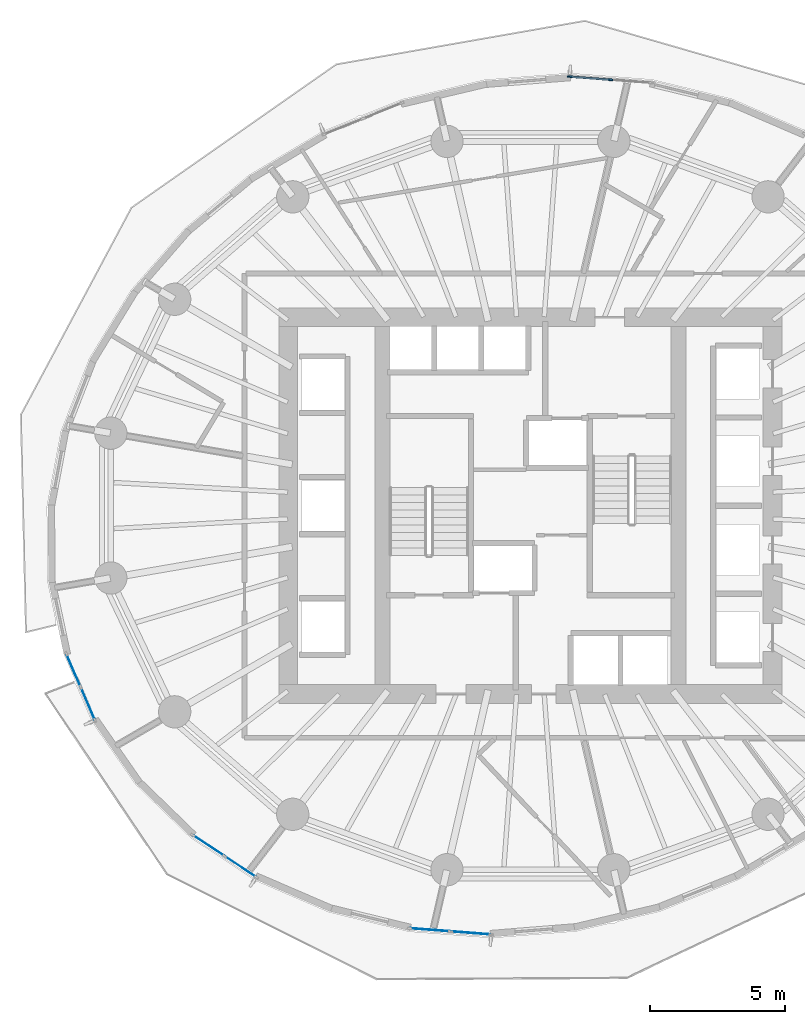
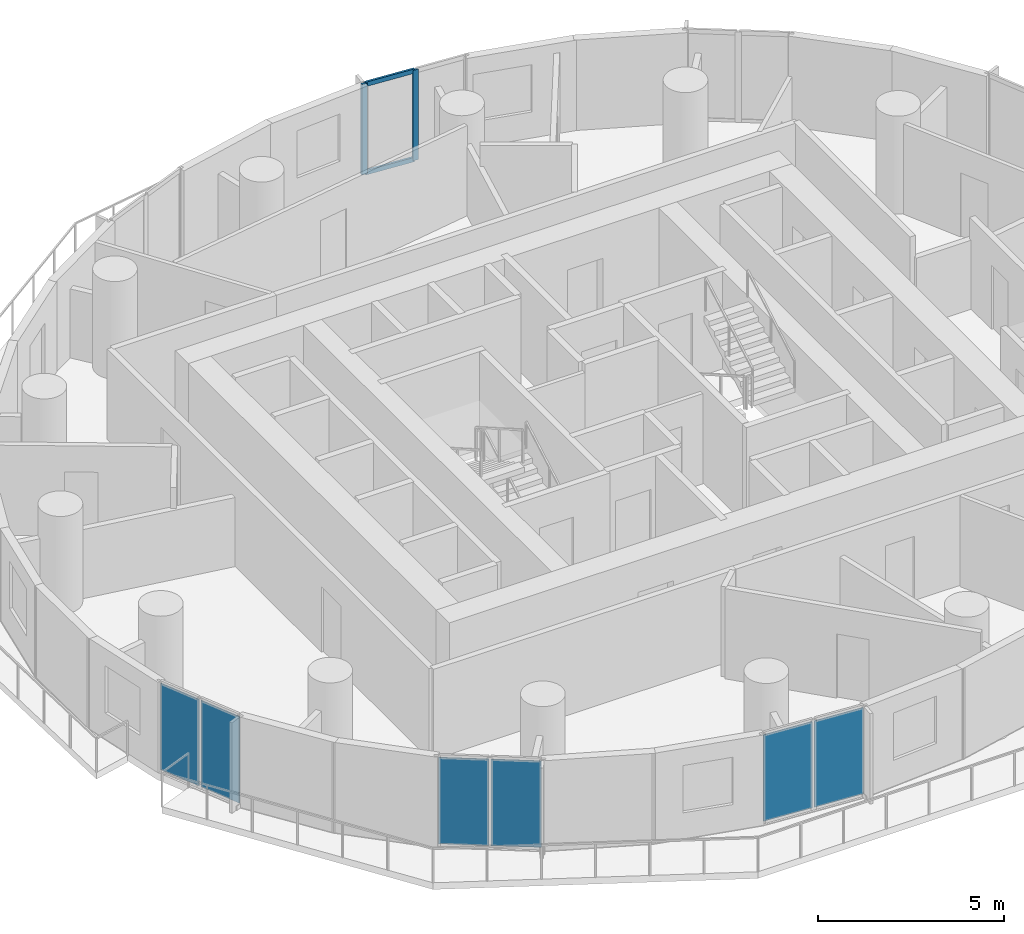
# One storey, part 5 of 14: 6 plates, 4 members, 4 elements without a shape of their own.
"""IFC4 building model written with IfcOpenShell, lengths in metres."""

from ifc_helpers import new_model, si_unit, direction, frame, origin, origin_2d, place, context, subcontext, project, spatial, rectangle, extrude, material, layer, layer_set, material_profile, profile_set, type_object, element, aggregate, save


model = new_model("IFC4")

# Units and contexts
model_context = context("Model", 3, precision=1e-05, world=origin(), true_north=direction((0.0, 1.0)))
body_context = subcontext(model_context, "Body", "Model", "MODEL_VIEW")
ifc_project = project(units=[si_unit("LENGTHUNIT", "METRE"), si_unit("AREAUNIT", "SQUARE_METRE"), si_unit("VOLUMEUNIT", "CUBIC_METRE"), si_unit("PLANEANGLEUNIT", "RADIAN"), si_unit("MASSUNIT", "GRAM", prefix="KILO")], contexts=[model_context])

# Site, building, storey
site_placement = place(None, origin())
site = spatial("IfcSite", under=ifc_project, at=site_placement, CompositionType="ELEMENT")
building_placement = place(site_placement, origin())
building = spatial("IfcBuilding", under=site, at=building_placement, Name="Veldorim Arch Residences", CompositionType="ELEMENT")
storey_placement = place(building_placement, frame((0.0, 0.0, 74.080078125)))
storey = spatial("IfcBuildingStorey", under=building, at=storey_placement, Name="L21", CompositionType="ELEMENT", Elevation=74.080078125)

# Curtain wall, members
ifc_material_1 = material(Name="Aluminium", Category="aluminium")
curtain_wall_type = type_object("IfcCurtainWallType", Name="Zone 2 Solar-Control Unitised Curtain Wall", PredefinedType="NOTDEFINED", material=ifc_material_1)
curtain_wall_1_placement = place(storey_placement, origin())
curtain_wall_1 = element("IfcCurtainWall", 1, at=curtain_wall_1_placement, inside=storey, type_object=curtain_wall_type, Name="L21 unitised curtain wall bay 07", PredefinedType="NOTDEFINED")
ifc_material_2 = material(Name="Aluminium", Category="aluminium")
ifc_material_profile_1 = material_profile(ifc_material_2, rectangle(XDim=0.06494140625, YDim=0.1650390625, at=origin_2d()), Name="ALU_MUL_65x165")
ifc_profile_set_1 = profile_set([ifc_material_profile_1], Name="Aluminium")
member_type_1 = type_object("IfcMemberType", Name="Zone 2 Solar-Control Unitised Curtain Wall Mullion 65x165", PredefinedType="MULLION", material=ifc_profile_set_1)
member_1_placement = place(storey_placement, frame((33.45849609375, 39.943115234375, 0.0), z_axis=(0.0, 0.0, 1.0), x_axis=(0.076696498885, 0.997054485502, 0.0)))
member_1 = element("IfcMember", 2, at=member_1_placement, type_object=member_type_1, Name="CW-Z2 mullion 1", PredefinedType="MULLION", context=body_context, shape_type="SweptSolid", body=[
    extrude(rectangle(XDim=0.06494140625, YDim=0.1650390625, at=origin_2d()), origin(), (0.0, 0.0, 1.0), 2.9599609375),
])
member_2_placement = place(storey_placement, frame((34.972412109375, 39.82666015625, 0.0), z_axis=(0.0, 0.0, 1.0), x_axis=(0.076696498885, 0.997054485502, 0.0)))
member_2 = element("IfcMember", 3, at=member_2_placement, type_object=member_type_1, Name="CW-Z2 mullion 2", PredefinedType="MULLION", context=body_context, shape_type="SweptSolid", body=[
    extrude(rectangle(XDim=0.06494140625, YDim=0.1650390625, at=origin_2d()), origin(), (0.0, 0.0, 1.0), 2.9599609375),
])
ifc_material_3 = material(Name="Aluminium", Category="aluminium")
ifc_material_profile_2 = material_profile(ifc_material_3, rectangle(XDim=0.06494140625, YDim=0.14501953125, at=origin_2d()), Name="ALU_TRN_65x145")
ifc_profile_set_2 = profile_set([ifc_material_profile_2], Name="Aluminium")
member_type_2 = type_object("IfcMemberType", Name="Zone 2 Solar-Control Unitised Curtain Wall Transom 65x145", PredefinedType="USERDEFINED", material=ifc_profile_set_2)
member_3_placement = place(storey_placement, frame((33.49072265625, 39.940673828125, 0.032470703125), z_axis=(0.99704954324, -0.076760721237, 0.0), x_axis=(0.076760721237, 0.99704954324, 0.0)))
member_3 = element("IfcMember", 4, at=member_3_placement, type_object=member_type_2, Name="CW-Z2 transom 1.1", ObjectType="TRANSOM", PredefinedType="USERDEFINED", context=body_context, shape_type="SweptSolid", body=[
    extrude(rectangle(XDim=0.06494140625, YDim=0.14501953125, at=origin_2d()), origin(), (0.0, 0.0, 1.0), 1.45361328125),
])
member_4_placement = place(storey_placement, frame((33.49072265625, 39.940673828125, 2.927490234375), z_axis=(0.99704954324, -0.076760721237, 0.0), x_axis=(0.076760721237, 0.99704954324, 0.0)))
member_4 = element("IfcMember", 5, at=member_4_placement, type_object=member_type_2, Name="CW-Z2 transom 1.2", ObjectType="TRANSOM", PredefinedType="USERDEFINED", context=body_context, shape_type="SweptSolid", body=[
    extrude(rectangle(XDim=0.06494140625, YDim=0.14501953125, at=origin_2d()), origin(), (0.0, 0.0, 1.0), 1.45361328125),
])
aggregate(curtain_wall_1, [member_1, member_2, member_3, member_4])

# Curtain wall, plates
curtain_wall_2_placement = place(storey_placement, origin())
curtain_wall_2 = element("IfcCurtainWall", 6, at=curtain_wall_2_placement, inside=storey, type_object=curtain_wall_type, Name="L21 unitised curtain wall bay 19", PredefinedType="NOTDEFINED")
ifc_material_4 = material(Name="Laminated Low-E Glass", Category="glass")
ifc_layer = layer(ifc_material_4, 0.02587890625, Name="Zone 2 Solar-Control Unitised Curtain Wall Glazing Panel 26")
ifc_layer_set = layer_set([ifc_layer], Name="Laminated Low-E Glass")
plate_type = type_object("IfcPlateType", Name="Zone 2 Solar-Control Unitised Curtain Wall Glazing Panel 26", PredefinedType="CURTAIN_PANEL", material=ifc_layer_set)
plate_1_placement = place(storey_placement, frame((15.55322265625, 16.63720703125, 0.06494140625), z_axis=(0.0, 0.0, 1.0), x_axis=(-0.397050688615, 0.917796682643, 0.0)))
plate_1 = element("IfcPlate", 7, at=plate_1_placement, type_object=plate_type, Name="CW-Z2 panel 1.1", PredefinedType="CURTAIN_PANEL", context=body_context, shape_type="SweptSolid", body=[
    extrude(rectangle(XDim=1.28125, YDim=0.02587890625, at=origin_2d()), origin(), (0.0, 0.0, 1.0), 2.830078125),
])
plate_2_placement = place(storey_placement, frame((15.0185546875, 17.872802734375, 0.06494140625), z_axis=(0.0, 0.0, 1.0), x_axis=(-0.397050688615, 0.917796682643, 0.0)))
plate_2 = element("IfcPlate", 8, at=plate_2_placement, type_object=plate_type, Name="CW-Z2 panel 2.1", PredefinedType="CURTAIN_PANEL", context=body_context, shape_type="SweptSolid", body=[
    extrude(rectangle(XDim=1.28125, YDim=0.02587890625, at=origin_2d()), origin(), (0.0, 0.0, 1.0), 2.830078125),
])
aggregate(curtain_wall_2, [plate_1, plate_2])

curtain_wall_3_placement = place(storey_placement, origin())
curtain_wall_3 = element("IfcCurtainWall", 9, at=curtain_wall_3_placement, inside=storey, type_object=curtain_wall_type, Name="L21 unitised curtain wall bay 22", PredefinedType="NOTDEFINED")
plate_3_placement = place(storey_placement, frame((21.222900390625, 10.580322265625, 0.06494140625), z_axis=(0.0, 0.0, 1.0), x_axis=(-0.834172634224, 0.551503414596, 0.0)))
plate_3 = element("IfcPlate", 10, at=plate_3_placement, type_object=plate_type, Name="CW-Z2 panel 1.1", PredefinedType="CURTAIN_PANEL", context=body_context, shape_type="SweptSolid", body=[
    extrude(rectangle(XDim=1.351806640625, YDim=0.02587890625, at=origin_2d()), origin(), (0.0, 0.0, 1.0), 2.830078125),
])
plate_4_placement = place(storey_placement, frame((20.041015625, 11.361572265625, 0.06494140625), z_axis=(0.0, 0.0, 1.0), x_axis=(-0.834172634224, 0.551503414596, 0.0)))
plate_4 = element("IfcPlate", 11, at=plate_4_placement, type_object=plate_type, Name="CW-Z2 panel 2.1", PredefinedType="CURTAIN_PANEL", context=body_context, shape_type="SweptSolid", body=[
    extrude(rectangle(XDim=1.351806640625, YDim=0.02587890625, at=origin_2d()), origin(), (0.0, 0.0, 1.0), 2.830078125),
])
aggregate(curtain_wall_3, [plate_3, plate_4])

curtain_wall_4_placement = place(storey_placement, origin())
curtain_wall_4 = element("IfcCurtainWall", 12, at=curtain_wall_4_placement, inside=storey, type_object=curtain_wall_type, Name="L21 unitised curtain wall bay 25", PredefinedType="NOTDEFINED")
plate_5_placement = place(storey_placement, frame((29.78466796875, 8.115234375, 0.06494140625), z_axis=(0.0, 0.0, 1.0), x_axis=(-0.997054485502, 0.076696498885, 0.0)))
plate_5 = element("IfcPlate", 13, at=plate_5_placement, type_object=plate_type, Name="CW-Z2 panel 1.1", PredefinedType="CURTAIN_PANEL", context=body_context, shape_type="SweptSolid", body=[
    extrude(rectangle(XDim=1.453369140625, YDim=0.02587890625, at=origin_2d()), origin(), (0.0, 0.0, 1.0), 2.830078125),
])
plate_6_placement = place(storey_placement, frame((28.270751953125, 8.231689453125, 0.06494140625), z_axis=(0.0, 0.0, 1.0), x_axis=(-0.997054485502, 0.076696498885, 0.0)))
plate_6 = element("IfcPlate", 14, at=plate_6_placement, type_object=plate_type, Name="CW-Z2 panel 2.1", PredefinedType="CURTAIN_PANEL", context=body_context, shape_type="SweptSolid", body=[
    extrude(rectangle(XDim=1.453369140625, YDim=0.02587890625, at=origin_2d()), origin(), (0.0, 0.0, 1.0), 2.830078125),
])
aggregate(curtain_wall_4, [plate_5, plate_6])

save(model, "model.ifc")
